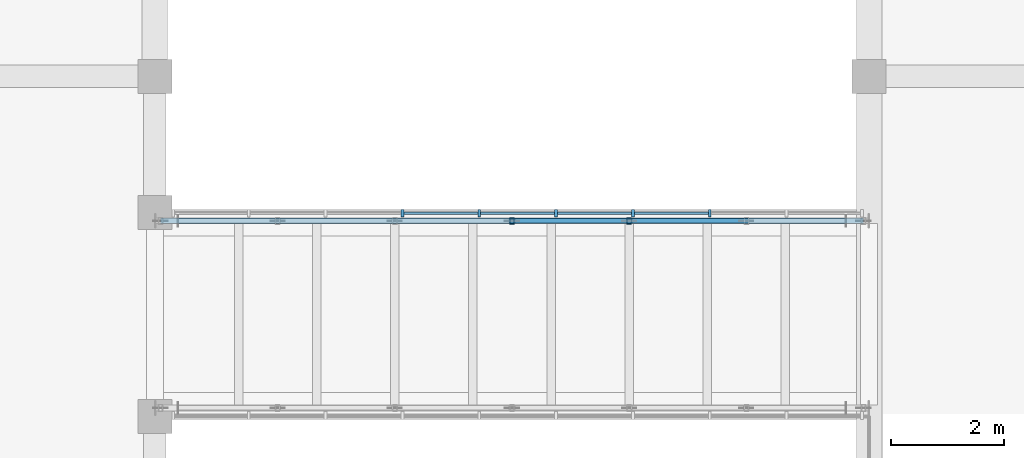
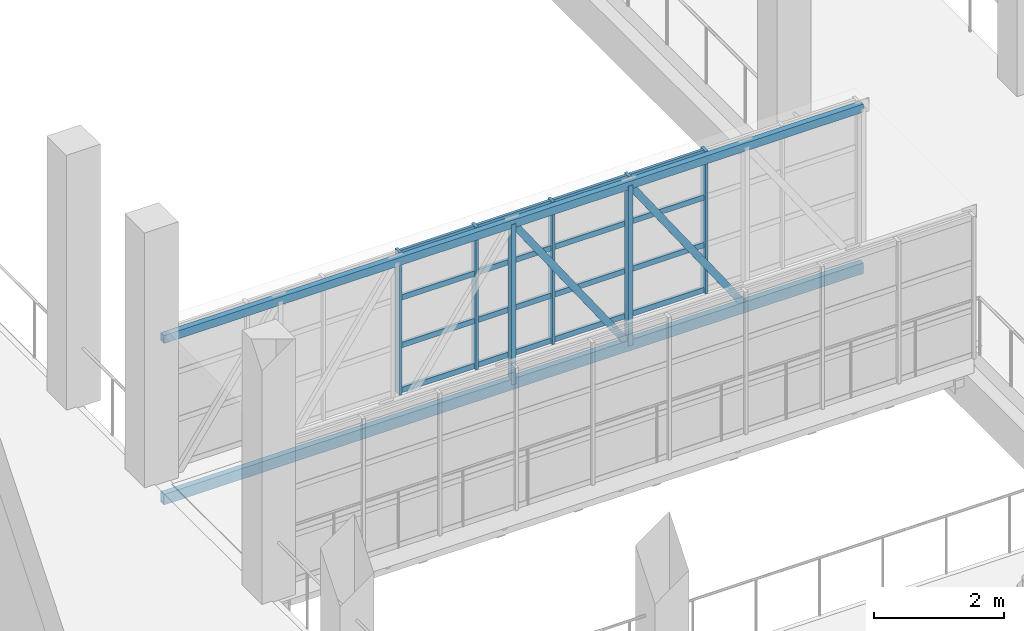
# One storey, part 16 of 86: 27 members, 1 element without a shape of its own.
"""IFC4 building model written with IfcOpenShell, lengths in metres."""

from ifc_helpers import new_model, si_unit, direction, frame, origin, origin_2d, place, context, subcontext, project, spatial, rectangle, hollow_rectangle, extrude, material, layer, layer_set, material_profile, profile_set, type_object, element, aggregate, save


model = new_model("IFC4")

# Units and contexts
model_context = context("Model", 3, precision=1e-05, world=origin(), true_north=direction((0.0, 1.0)))
body_context = subcontext(model_context, "Body", "Model", "MODEL_VIEW")
ifc_project = project(units=[si_unit("LENGTHUNIT", "METRE"), si_unit("AREAUNIT", "SQUARE_METRE"), si_unit("VOLUMEUNIT", "CUBIC_METRE"), si_unit("PLANEANGLEUNIT", "RADIAN"), si_unit("MASSUNIT", "GRAM", prefix="KILO")], contexts=[model_context])

# Site, building, storey
site_placement = place(None, origin())
site = spatial("IfcSite", under=ifc_project, at=site_placement, CompositionType="ELEMENT")
building_placement = place(site_placement, origin())
building = spatial("IfcBuilding", under=site, at=building_placement, Name="Kiln Court Media Centre", CompositionType="ELEMENT")
storey_placement = place(building_placement, frame((0.0, 0.0, 10.199951171875)))
storey = spatial("IfcBuildingStorey", under=building, at=storey_placement, Name="L02", CompositionType="ELEMENT", Elevation=10.199951171875)

# Curtain wall, members
ifc_material_1 = material(Name="Aluminium 6063-T6", Category="aluminium")
ifc_layer = layer(ifc_material_1, 0.1201171875)
ifc_layer_set = layer_set([ifc_layer], Name="Aluminium unitised curtain wall, bridge")
curtain_wall_type = type_object("IfcCurtainWallType", Name="Aluminium unitised curtain wall, bridge", PredefinedType="USERDEFINED", material=ifc_layer_set)
curtain_wall_placement = place(storey_placement, origin())
curtain_wall = element("IfcCurtainWall", 1, at=curtain_wall_placement, inside=storey, type_object=curtain_wall_type, Name="BR-L02-FOY-11 side glazing", ObjectType="UNITISED CURTAIN WALL", PredefinedType="USERDEFINED")
ifc_material_2 = material(Name="Aluminium 6063-T6", Category="aluminium")
ifc_material_profile_1 = material_profile(ifc_material_2, rectangle(XDim=0.050048828125, YDim=0.139892578125, at=origin_2d()), Name="Aluminium hall mullion 50x140")
ifc_profile_set_1 = profile_set([ifc_material_profile_1], Name="Aluminium 6063-T6")
member_type_1 = type_object("IfcMemberType", Name="Aluminium hall mullion 50x140", PredefinedType="MULLION", material=ifc_profile_set_1)
member_1_placement = place(storey_placement, frame((42.166748046875, 39.5849609375, 0.0), z_axis=(0.0, 0.0, 1.0), x_axis=(1.0, 0.0, 0.0)))
member_1 = element("IfcMember", 2, at=member_1_placement, type_object=member_type_1, Name="CW2-68 mullion 4", PredefinedType="MULLION", context=body_context, shape_type="SweptSolid", body=[
    extrude(rectangle(XDim=0.050048828125, YDim=0.139892578125, at=origin_2d()), origin(), (0.0, 0.0, 1.0), 2.675048828125),
])
member_2_placement = place(storey_placement, frame((43.522216796875, 39.5849609375, 0.0), z_axis=(0.0, 0.0, 1.0), x_axis=(1.0, 0.0, 0.0)))
member_2 = element("IfcMember", 3, at=member_2_placement, type_object=member_type_1, Name="CW2-68 mullion 5", PredefinedType="MULLION", context=body_context, shape_type="SweptSolid", body=[
    extrude(rectangle(XDim=0.050048828125, YDim=0.139892578125, at=origin_2d()), origin(), (0.0, 0.0, 1.0), 2.675048828125),
])
member_3_placement = place(storey_placement, frame((44.877685546875, 39.5849609375, 0.0), z_axis=(0.0, 0.0, 1.0), x_axis=(1.0, 0.0, 0.0)))
member_3 = element("IfcMember", 4, at=member_3_placement, type_object=member_type_1, Name="CW2-68 mullion 6", PredefinedType="MULLION", context=body_context, shape_type="SweptSolid", body=[
    extrude(rectangle(XDim=0.050048828125, YDim=0.139892578125, at=origin_2d()), origin(), (0.0, 0.0, 1.0), 2.675048828125),
])
member_4_placement = place(storey_placement, frame((46.2333984375, 39.5849609375, 0.0), z_axis=(0.0, 0.0, 1.0), x_axis=(1.0, 0.0, 0.0)))
member_4 = element("IfcMember", 5, at=member_4_placement, type_object=member_type_1, Name="CW2-68 mullion 7", PredefinedType="MULLION", context=body_context, shape_type="SweptSolid", body=[
    extrude(rectangle(XDim=0.050048828125, YDim=0.139892578125, at=origin_2d()), origin(), (0.0, 0.0, 1.0), 2.675048828125),
])
member_5_placement = place(storey_placement, frame((47.5888671875, 39.5849609375, 0.0), z_axis=(0.0, 0.0, 1.0), x_axis=(1.0, 0.0, 0.0)))
member_5 = element("IfcMember", 6, at=member_5_placement, type_object=member_type_1, Name="CW2-68 mullion 8", PredefinedType="MULLION", context=body_context, shape_type="SweptSolid", body=[
    extrude(rectangle(XDim=0.050048828125, YDim=0.139892578125, at=origin_2d()), origin(), (0.0, 0.0, 1.0), 2.675048828125),
])
ifc_material_3 = material(Name="Aluminium 6063-T6", Category="aluminium")
ifc_material_profile_2 = material_profile(ifc_material_3, rectangle(XDim=0.050048828125, YDim=0.10009765625, at=origin_2d()), Name="Aluminium hall transom 50x100")
ifc_profile_set_2 = profile_set([ifc_material_profile_2], Name="Aluminium 6063-T6")
member_type_2 = type_object("IfcMemberType", Name="Aluminium hall transom 50x100", PredefinedType="USERDEFINED", material=ifc_profile_set_2)
member_6_placement = place(storey_placement, frame((42.191650390625, 39.5849609375, 0.050048828125), z_axis=(1.0, 0.0, 0.0), x_axis=(0.0, 1.0, 0.0)))
member_6 = element("IfcMember", 7, at=member_6_placement, type_object=member_type_2, Name="CW2-68 transom 4.1", ObjectType="TRANSOM", PredefinedType="USERDEFINED", context=body_context, shape_type="SweptSolid", body=[
    extrude(rectangle(XDim=0.050048828125, YDim=0.10009765625, at=origin_2d()), origin(), (0.0, 0.0, 1.0), 1.3056640625),
])
member_7_placement = place(storey_placement, frame((42.191650390625, 39.5849609375, 0.891845703125), z_axis=(1.0, 0.0, 0.0), x_axis=(0.0, 1.0, 0.0)))
member_7 = element("IfcMember", 8, at=member_7_placement, type_object=member_type_2, Name="CW2-68 transom 4.2", ObjectType="TRANSOM", PredefinedType="USERDEFINED", context=body_context, shape_type="SweptSolid", body=[
    extrude(rectangle(XDim=0.050048828125, YDim=0.10009765625, at=origin_2d()), origin(), (0.0, 0.0, 1.0), 1.3056640625),
])
member_8_placement = place(storey_placement, frame((42.191650390625, 39.5849609375, 1.783447265625), z_axis=(1.0, 0.0, 0.0), x_axis=(0.0, 1.0, 0.0)))
member_8 = element("IfcMember", 9, at=member_8_placement, type_object=member_type_2, Name="CW2-68 transom 4.3", ObjectType="TRANSOM", PredefinedType="USERDEFINED", context=body_context, shape_type="SweptSolid", body=[
    extrude(rectangle(XDim=0.050048828125, YDim=0.10009765625, at=origin_2d()), origin(), (0.0, 0.0, 1.0), 1.3056640625),
])
member_9_placement = place(storey_placement, frame((42.191650390625, 39.5849609375, 2.625), z_axis=(1.0, 0.0, 0.0), x_axis=(0.0, 1.0, 0.0)))
member_9 = element("IfcMember", 10, at=member_9_placement, type_object=member_type_2, Name="CW2-68 transom 4.4", ObjectType="TRANSOM", PredefinedType="USERDEFINED", context=body_context, shape_type="SweptSolid", body=[
    extrude(rectangle(XDim=0.050048828125, YDim=0.10009765625, at=origin_2d()), origin(), (0.0, 0.0, 1.0), 1.3056640625),
])
member_10_placement = place(storey_placement, frame((43.547119140625, 39.5849609375, 0.050048828125), z_axis=(1.0, 0.0, 0.0), x_axis=(0.0, 1.0, 0.0)))
member_10 = element("IfcMember", 11, at=member_10_placement, type_object=member_type_2, Name="CW2-68 transom 5.1", ObjectType="TRANSOM", PredefinedType="USERDEFINED", context=body_context, shape_type="SweptSolid", body=[
    extrude(rectangle(XDim=0.050048828125, YDim=0.10009765625, at=origin_2d()), origin(), (0.0, 0.0, 1.0), 1.3056640625),
])
member_11_placement = place(storey_placement, frame((43.547119140625, 39.5849609375, 0.891845703125), z_axis=(1.0, 0.0, 0.0), x_axis=(0.0, 1.0, 0.0)))
member_11 = element("IfcMember", 12, at=member_11_placement, type_object=member_type_2, Name="CW2-68 transom 5.2", ObjectType="TRANSOM", PredefinedType="USERDEFINED", context=body_context, shape_type="SweptSolid", body=[
    extrude(rectangle(XDim=0.050048828125, YDim=0.10009765625, at=origin_2d()), origin(), (0.0, 0.0, 1.0), 1.3056640625),
])
member_12_placement = place(storey_placement, frame((43.547119140625, 39.5849609375, 1.783447265625), z_axis=(1.0, 0.0, 0.0), x_axis=(0.0, 1.0, 0.0)))
member_12 = element("IfcMember", 13, at=member_12_placement, type_object=member_type_2, Name="CW2-68 transom 5.3", ObjectType="TRANSOM", PredefinedType="USERDEFINED", context=body_context, shape_type="SweptSolid", body=[
    extrude(rectangle(XDim=0.050048828125, YDim=0.10009765625, at=origin_2d()), origin(), (0.0, 0.0, 1.0), 1.3056640625),
])
member_13_placement = place(storey_placement, frame((43.547119140625, 39.5849609375, 2.625), z_axis=(1.0, 0.0, 0.0), x_axis=(0.0, 1.0, 0.0)))
member_13 = element("IfcMember", 14, at=member_13_placement, type_object=member_type_2, Name="CW2-68 transom 5.4", ObjectType="TRANSOM", PredefinedType="USERDEFINED", context=body_context, shape_type="SweptSolid", body=[
    extrude(rectangle(XDim=0.050048828125, YDim=0.10009765625, at=origin_2d()), origin(), (0.0, 0.0, 1.0), 1.3056640625),
])
member_14_placement = place(storey_placement, frame((44.90283203125, 39.5849609375, 0.050048828125), z_axis=(1.0, 0.0, 0.0), x_axis=(0.0, 1.0, 0.0)))
member_14 = element("IfcMember", 15, at=member_14_placement, type_object=member_type_2, Name="CW2-68 transom 6.1", ObjectType="TRANSOM", PredefinedType="USERDEFINED", context=body_context, shape_type="SweptSolid", body=[
    extrude(rectangle(XDim=0.050048828125, YDim=0.10009765625, at=origin_2d()), origin(), (0.0, 0.0, 1.0), 1.305419921875),
])
member_15_placement = place(storey_placement, frame((44.90283203125, 39.5849609375, 0.891845703125), z_axis=(1.0, 0.0, 0.0), x_axis=(0.0, 1.0, 0.0)))
member_15 = element("IfcMember", 16, at=member_15_placement, type_object=member_type_2, Name="CW2-68 transom 6.2", ObjectType="TRANSOM", PredefinedType="USERDEFINED", context=body_context, shape_type="SweptSolid", body=[
    extrude(rectangle(XDim=0.050048828125, YDim=0.10009765625, at=origin_2d()), origin(), (0.0, 0.0, 1.0), 1.305419921875),
])
member_16_placement = place(storey_placement, frame((44.90283203125, 39.5849609375, 1.783447265625), z_axis=(1.0, 0.0, 0.0), x_axis=(0.0, 1.0, 0.0)))
member_16 = element("IfcMember", 17, at=member_16_placement, type_object=member_type_2, Name="CW2-68 transom 6.3", ObjectType="TRANSOM", PredefinedType="USERDEFINED", context=body_context, shape_type="SweptSolid", body=[
    extrude(rectangle(XDim=0.050048828125, YDim=0.10009765625, at=origin_2d()), origin(), (0.0, 0.0, 1.0), 1.305419921875),
])
member_17_placement = place(storey_placement, frame((44.90283203125, 39.5849609375, 2.625), z_axis=(1.0, 0.0, 0.0), x_axis=(0.0, 1.0, 0.0)))
member_17 = element("IfcMember", 18, at=member_17_placement, type_object=member_type_2, Name="CW2-68 transom 6.4", ObjectType="TRANSOM", PredefinedType="USERDEFINED", context=body_context, shape_type="SweptSolid", body=[
    extrude(rectangle(XDim=0.050048828125, YDim=0.10009765625, at=origin_2d()), origin(), (0.0, 0.0, 1.0), 1.305419921875),
])
member_18_placement = place(storey_placement, frame((46.25830078125, 39.5849609375, 0.050048828125), z_axis=(1.0, 0.0, 0.0), x_axis=(0.0, 1.0, 0.0)))
member_18 = element("IfcMember", 19, at=member_18_placement, type_object=member_type_2, Name="CW2-68 transom 7.1", ObjectType="TRANSOM", PredefinedType="USERDEFINED", context=body_context, shape_type="SweptSolid", body=[
    extrude(rectangle(XDim=0.050048828125, YDim=0.10009765625, at=origin_2d()), origin(), (0.0, 0.0, 1.0), 1.3056640625),
])
member_19_placement = place(storey_placement, frame((46.25830078125, 39.5849609375, 0.891845703125), z_axis=(1.0, 0.0, 0.0), x_axis=(0.0, 1.0, 0.0)))
member_19 = element("IfcMember", 20, at=member_19_placement, type_object=member_type_2, Name="CW2-68 transom 7.2", ObjectType="TRANSOM", PredefinedType="USERDEFINED", context=body_context, shape_type="SweptSolid", body=[
    extrude(rectangle(XDim=0.050048828125, YDim=0.10009765625, at=origin_2d()), origin(), (0.0, 0.0, 1.0), 1.3056640625),
])
member_20_placement = place(storey_placement, frame((46.25830078125, 39.5849609375, 1.783447265625), z_axis=(1.0, 0.0, 0.0), x_axis=(0.0, 1.0, 0.0)))
member_20 = element("IfcMember", 21, at=member_20_placement, type_object=member_type_2, Name="CW2-68 transom 7.3", ObjectType="TRANSOM", PredefinedType="USERDEFINED", context=body_context, shape_type="SweptSolid", body=[
    extrude(rectangle(XDim=0.050048828125, YDim=0.10009765625, at=origin_2d()), origin(), (0.0, 0.0, 1.0), 1.3056640625),
])
member_21_placement = place(storey_placement, frame((46.25830078125, 39.5849609375, 2.625), z_axis=(1.0, 0.0, 0.0), x_axis=(0.0, 1.0, 0.0)))
member_21 = element("IfcMember", 22, at=member_21_placement, type_object=member_type_2, Name="CW2-68 transom 7.4", ObjectType="TRANSOM", PredefinedType="USERDEFINED", context=body_context, shape_type="SweptSolid", body=[
    extrude(rectangle(XDim=0.050048828125, YDim=0.10009765625, at=origin_2d()), origin(), (0.0, 0.0, 1.0), 1.3056640625),
])
aggregate(curtain_wall, [member_1, member_2, member_3, member_4, member_5, member_6, member_7, member_8, member_9, member_10, member_11, member_12, member_13, member_14, member_15, member_16, member_17, member_18, member_19, member_20, member_21])

# Members
ifc_material_4 = material(Name="Steel ASTM A500 Gr C", Category="steel")
ifc_material_profile_3 = material_profile(ifc_material_4, hollow_rectangle(XDim=0.080078125, YDim=0.1201171875, WallThickness=0.00634765625, at=origin_2d()), Name="RHS 120x80x6.3")
ifc_profile_set_3 = profile_set([ifc_material_profile_3], Name="Steel ASTM A500 Gr C")
member_type_3 = type_object("IfcMemberType", Name="Steel ASTM A500 Gr C RHS 120x80x6.3 bridge truss web", PredefinedType="BRACE", material=ifc_profile_set_3)
for number, where, z_axis, x_axis, name in (
    (23, (44.10009765625, 39.449951171875, -0.39990234375), (0.0, 0.0, 1.0), (1.0, 0.0, 0.0), "bridge BR-L02-FOY-11 side truss 2 post 4 bridge truss web"),
    (24, (46.166748046875, 39.449951171875, -0.39990234375), (0.0, 0.0, 1.0), (1.0, 0.0, 0.0), "bridge BR-L02-FOY-11 side truss 2 post 5 bridge truss web"),
):
    element("IfcMember", number, at=place(storey_placement, frame(where, z_axis=z_axis, x_axis=x_axis)), inside=storey, type_object=member_type_3, Name=name, PredefinedType="BRACE", context=body_context, shape_type="SweptSolid", body=[
        extrude(hollow_rectangle(XDim=0.080078125, YDim=0.1201171875, WallThickness=0.00634765625, at=origin_2d()), origin(), (0.0, 0.0, 1.0), 3.0),
    ])
for number, where, z_axis, x_axis, name in (
    (25, (44.10009765625, 39.449951171875, 2.60009765625), (0.567302206325, 0.0, -0.823509688284), (0.0, 1.0, 0.0), "bridge BR-L02-FOY-11 side truss 2 diagonal 4 bridge truss web"),
    (26, (46.166748046875, 39.449951171875, 2.60009765625), (0.567302206325, 0.0, -0.823509688284), (0.0, 1.0, 0.0), "bridge BR-L02-FOY-11 side truss 2 diagonal 5 bridge truss web"),
):
    element("IfcMember", number, at=place(storey_placement, frame(where, z_axis=z_axis, x_axis=x_axis)), inside=storey, type_object=member_type_3, Name=name, PredefinedType="BRACE", context=body_context, shape_type="SweptSolid", body=[
        extrude(hollow_rectangle(XDim=0.080078125, YDim=0.1201171875, WallThickness=0.00634765625, at=origin_2d()), origin(), (0.0, 0.0, 1.0), 3.64306640625),
    ])
ifc_material_5 = material(Name="Steel ASTM A500 Gr C", Category="steel")
ifc_material_profile_4 = material_profile(ifc_material_5, hollow_rectangle(XDim=0.10009765625, YDim=0.14990234375, WallThickness=0.008056640625, at=origin_2d()), Name="RHS 150x100x8.0")
ifc_profile_set_4 = profile_set([ifc_material_profile_4], Name="Steel ASTM A500 Gr C")
member_type_4 = type_object("IfcMemberType", Name="Steel ASTM A500 Gr C RHS 150x100x8.0 bridge truss chord", PredefinedType="CHORD", material=ifc_profile_set_4)
member_22_placement = place(storey_placement, frame((37.89990234375, 39.449951171875, 2.60009765625), z_axis=(1.0, 0.0, 0.0), x_axis=(0.0, 1.0, 0.0)))
element("IfcMember", 27, at=member_22_placement, inside=storey, type_object=member_type_4, Name="bridge BR-L02-FOY-11 side truss 2 top chord bridge truss chord", PredefinedType="CHORD", context=body_context, shape_type="SweptSolid", body=[
    extrude(hollow_rectangle(XDim=0.10009765625, YDim=0.14990234375, WallThickness=0.008056640625, at=origin_2d()), origin(), (0.0, 0.0, 1.0), 12.400146484375),
])
ifc_material_6 = material(Name="Steel ASTM A500 Gr C", Category="steel")
ifc_material_profile_5 = material_profile(ifc_material_6, hollow_rectangle(XDim=0.10009765625, YDim=0.199951171875, WallThickness=0.008056640625, at=origin_2d()), Name="RHS 200x100x8.0")
ifc_profile_set_5 = profile_set([ifc_material_profile_5], Name="Steel ASTM A500 Gr C")
member_type_5 = type_object("IfcMemberType", Name="Steel ASTM A500 Gr C RHS 200x100x8.0 bridge truss chord", PredefinedType="CHORD", material=ifc_profile_set_5)
member_23_placement = place(storey_placement, frame((37.89990234375, 39.449951171875, -0.39990234375), z_axis=(1.0, 0.0, 0.0), x_axis=(0.0, 1.0, 0.0)))
element("IfcMember", 28, at=member_23_placement, inside=storey, type_object=member_type_5, Name="bridge BR-L02-FOY-11 side truss 2 bottom chord bridge truss chord", PredefinedType="CHORD", context=body_context, shape_type="SweptSolid", body=[
    extrude(hollow_rectangle(XDim=0.10009765625, YDim=0.199951171875, WallThickness=0.008056640625, at=origin_2d()), origin(), (0.0, 0.0, 1.0), 12.400146484375),
])

save(model, "model.ifc")
